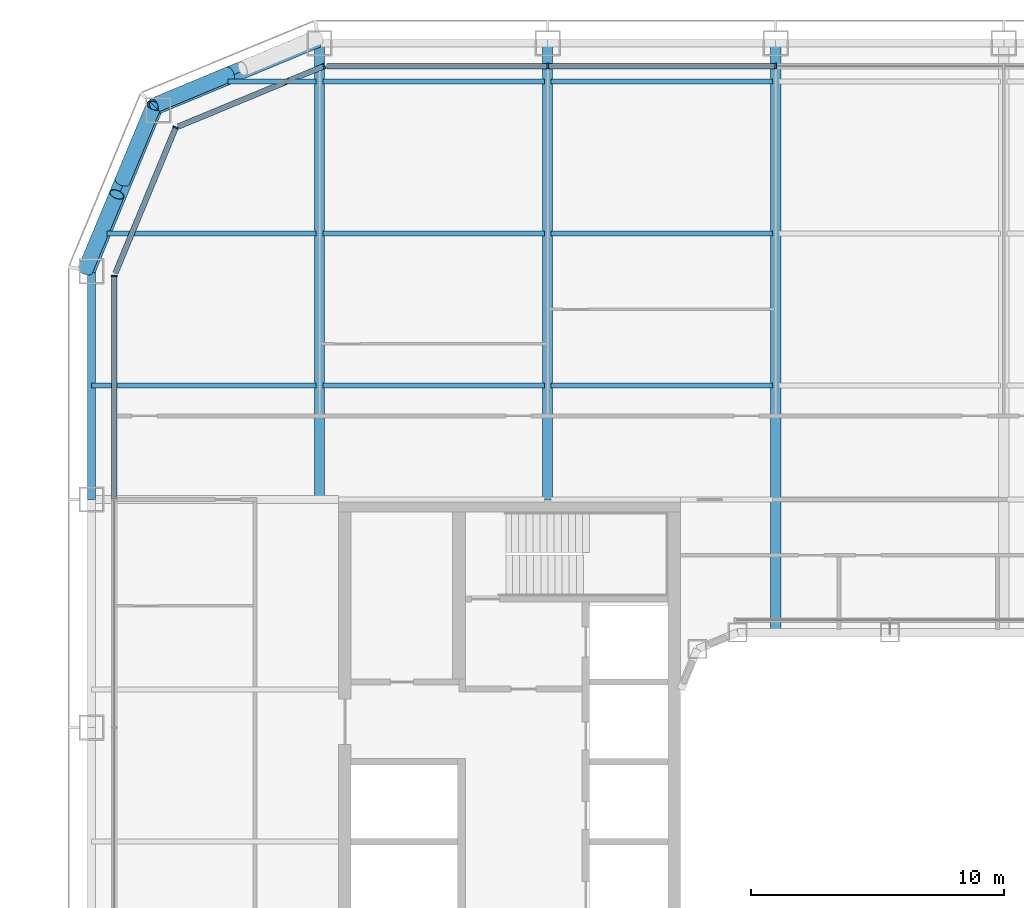
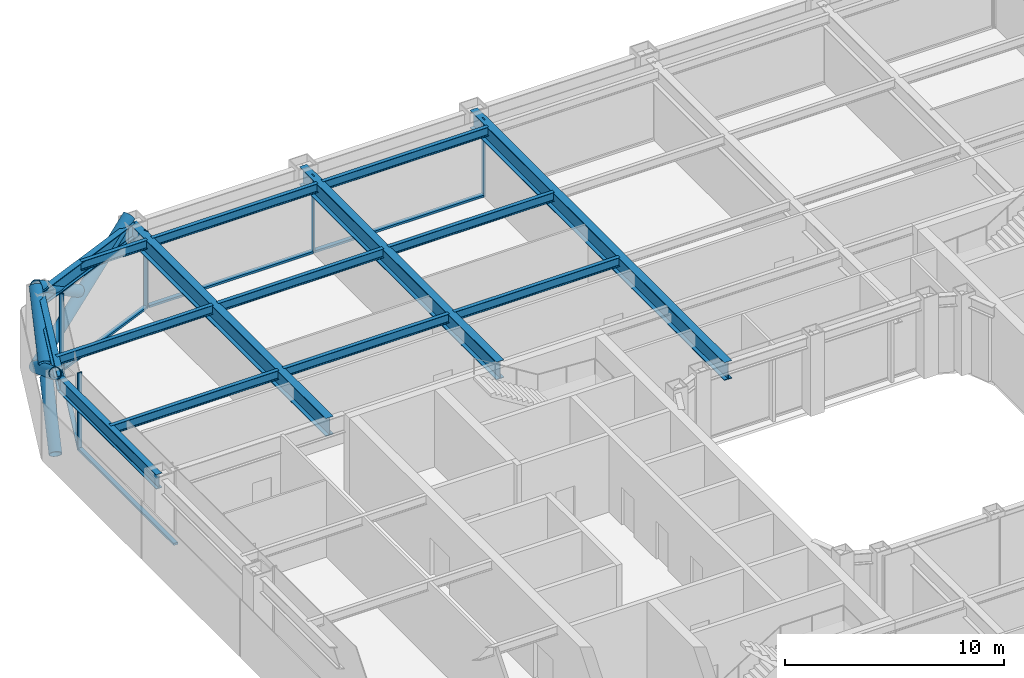
# One storey, part 7 of 27: 15 beams, 15 members, 4 elements without a shape of their own.
"""IFC4 building model written with IfcOpenShell, lengths in metres."""

import ifcopenshell
import ifcopenshell.guid

model = None  # the IFC model being written
_history = None  # IfcOwnerHistory: only IFC2X3 demands one
_inside = {}  # id of a spatial element -> (the spatial element, [elements in it])
_under = {}  # id of a project, library or spatial element -> (it, [spatial elements below it])
_declared = {}  # id of a project -> (the project, [libraries it declares])
_typed = {}  # id of a type object -> (the type object, [elements of that type])
_made_of = {}  # id of a material, layer set ... -> (it, [elements and type objects made of it])


def new_model(schema):
    """Start an empty IFC model of exactly this schema.

    Asked for "IFC4X3", IfcOpenShell would pick the latest addendum, in which some entities
    have other attributes; the version numbers below select the first issue.
    IFC2X3 requires an IfcOwnerHistory on every rooted entity: one is made here for all.
    """
    global model, _history
    if schema == "IFC4X3":
        model = ifcopenshell.file(schema_version=(4, 3, 0, 0))
    else:
        model = ifcopenshell.file(schema=schema)
    _inside.clear()
    _under.clear()
    _declared.clear()
    _typed.clear()
    _made_of.clear()
    _history = None
    if model.schema == "IFC2X3":
        org = make("IfcOrganization", Name="unknown")
        user = make(
            "IfcPersonAndOrganization",
            ThePerson=make("IfcPerson", FamilyName="unknown"),
            TheOrganization=org,
        )
        app = make(
            "IfcApplication",
            ApplicationDeveloper=org,
            Version="unknown",
            ApplicationFullName="unknown",
            ApplicationIdentifier="unknown",
        )
        _history = make(
            "IfcOwnerHistory",
            OwningUser=user,
            OwningApplication=app,
            ChangeAction="ADDED",
            CreationDate=0,
        )
    return model


def make(cls, **values):
    """One entity of the class cls with the attributes given. An attribute that is None is left unset."""
    return model.create_entity(
        cls, **{name: value for name, value in values.items() if value is not None}
    )


def rooted(cls, **values):
    """An entity with a GlobalId (a new one), such as an element, a storey or a relation."""
    return make(cls, GlobalId=ifcopenshell.guid.new(), OwnerHistory=_history, **values)


def si_unit(unit_type, name, prefix=None):
    """IfcSIUnit, for example si_unit("LENGTHUNIT", "METRE", prefix="MILLI")."""
    return make("IfcSIUnit", UnitType=unit_type, Prefix=prefix, Name=name)


def assignment(units):
    """IfcUnitAssignment: the units of a project."""
    return None if units is None else make("IfcUnitAssignment", Units=units)


def point(xyz):
    """IfcCartesianPoint."""
    return None if xyz is None else make("IfcCartesianPoint", Coordinates=xyz)


def direction(xyz):
    """IfcDirection."""
    return None if xyz is None else make("IfcDirection", DirectionRatios=xyz)


def frame(location, z_axis=None, x_axis=None):
    """IfcAxis2Placement3D, a coordinate frame: its origin and axes. An axis left out is left unset."""
    return make(
        "IfcAxis2Placement3D",
        Location=point(location),
        Axis=direction(z_axis),
        RefDirection=direction(x_axis),
    )


def frame_2d(location, x_axis=None):
    """IfcAxis2Placement2D, a coordinate frame in the plane: its origin and x axis."""
    return make(
        "IfcAxis2Placement2D", Location=point(location), RefDirection=direction(x_axis)
    )


def origin():
    """The frame at (0, 0, 0) with its axes left unset."""
    return frame((0.0, 0.0, 0.0))


def origin_2d():
    """The frame at (0, 0) in the plane with its x axis left unset."""
    return frame_2d((0.0, 0.0))


def place(relative_to, where):
    """IfcLocalPlacement: puts the frame where relative to a parent placement (None: the world)."""
    return make(
        "IfcLocalPlacement", PlacementRelTo=relative_to, RelativePlacement=where
    )


def context(
    kind, dimensions, precision=None, world=None, true_north=None, identifier=None
):
    """IfcGeometricRepresentationContext, for example the 3D "Model" context."""
    return make(
        "IfcGeometricRepresentationContext",
        ContextIdentifier=identifier,
        ContextType=kind,
        CoordinateSpaceDimension=dimensions,
        Precision=precision,
        WorldCoordinateSystem=world,
        TrueNorth=true_north,
    )


def subcontext(parent, identifier, kind, view, scale=None):
    """IfcGeometricRepresentationSubContext, for example "Body" below "Model"."""
    return make(
        "IfcGeometricRepresentationSubContext",
        ContextIdentifier=identifier,
        ContextType=kind,
        ParentContext=parent,
        TargetScale=scale,
        TargetView=view,
    )


def project(units=None, contexts=None):
    """IfcProject with its units and contexts."""
    return rooted(
        "IfcProject",
        Name="project",
        RepresentationContexts=contexts,
        UnitsInContext=assignment(units),
    )


def spatial(cls, under=None, at=None, **own):
    """A site, building, storey or space (cls), placed at a placement, below another one or the project."""
    s = rooted(cls, ObjectPlacement=at, **own)
    if under is not None:
        _under.setdefault(under.id(), (under, []))[1].append(s)
    return s


def profile(cls, at=None, kind="AREA", **sizes):
    """A parametric profile (cls). Its sizes go by their IFC names, for example OverallWidth=200.0."""
    return make(cls, ProfileType=kind, Position=at, **sizes)


def rectangle(**sizes):
    """IfcRectangleProfileDef."""
    return profile("IfcRectangleProfileDef", **sizes)


def hollow_circle(**sizes):
    """IfcCircleHollowProfileDef."""
    return profile("IfcCircleHollowProfileDef", **sizes)


def i_section(**sizes):
    """IfcIShapeProfileDef."""
    return profile("IfcIShapeProfileDef", **sizes)


def extrude(swept, where, along, depth):
    """IfcExtrudedAreaSolid: the profile swept, set in the frame where, extruded along a direction by depth."""
    return make(
        "IfcExtrudedAreaSolid",
        SweptArea=swept,
        Position=where,
        ExtrudedDirection=direction(along),
        Depth=depth,
    )


def shape(context_of_items, identifier, shape_type, items):
    """IfcShapeRepresentation: the items that make up one representation, for example the "Body"."""
    return make(
        "IfcShapeRepresentation",
        ContextOfItems=context_of_items,
        RepresentationIdentifier=identifier,
        RepresentationType=shape_type,
        Items=items,
    )


def material(Name=None, Category=None):
    """IfcMaterial."""
    return make("IfcMaterial", Name=Name, Category=Category)


def layer(
    of_material, thickness, ventilated=None, Name=None, Category=None, Priority=None
):
    """IfcMaterialLayer: one layer of a wall or slab, of a material (None: an air gap)."""
    return make(
        "IfcMaterialLayer",
        Material=of_material,
        LayerThickness=thickness,
        IsVentilated=ventilated,
        Name=Name,
        Category=Category,
        Priority=Priority,
    )


def layer_set(layers, Name=None):
    """IfcMaterialLayerSet."""
    return make("IfcMaterialLayerSet", MaterialLayers=layers, LayerSetName=Name)


def material_profile(
    of_material, cross_section, Name=None, Category=None, Priority=None
):
    """IfcMaterialProfile: a cross section and its material."""
    return make(
        "IfcMaterialProfile",
        Name=Name,
        Material=of_material,
        Profile=cross_section,
        Priority=Priority,
        Category=Category,
    )


def profile_set(profiles, Name=None, composite=None):
    """IfcMaterialProfileSet."""
    return make(
        "IfcMaterialProfileSet",
        Name=Name,
        MaterialProfiles=profiles,
        CompositeProfile=composite,
    )


def made_of(thing, what):
    """Note that an element or type object is made of a material, layer set ...; save() writes the relation."""
    if what is not None:
        _made_of.setdefault(what.id(), (what, []))[1].append(thing)
    return thing


def type_object(cls, material=None, **own):
    """A type object (cls), such as IfcWallType, which elements share."""
    return made_of(rooted(cls, **own), material)


def element(
    cls,
    number,
    at=None,
    inside=None,
    cuts=None,
    type_object=None,
    material=None,
    context=None,
    identifier="Body",
    shape_type=None,
    held_by="IfcProductDefinitionShape",
    body=None,
    shapes=None,
    **own,
):
    """One element of the class cls, such as IfcWall. Its Tag is "e" and its number.

    at: its placement. inside: the storey or other place that contains it. cuts: it is an
    opening in that element (IfcRelVoidsElement). A single representation is given by context,
    identifier, shape_type and body (its items); several are given by shapes. held_by: the class
    of the entity that holds the representations. save() writes the other relations.
    """
    e = rooted(cls, Tag="e%d" % number, ObjectPlacement=at, **own)
    if body is not None:
        shapes = [shape(context, identifier, shape_type, body)]
    if shapes is not None:
        e.Representation = make(held_by, Representations=shapes)
    if inside is not None:
        _inside.setdefault(inside.id(), (inside, []))[1].append(e)
    if cuts is not None:
        rooted(
            "IfcRelVoidsElement", RelatingBuildingElement=cuts, RelatedOpeningElement=e
        )
    if type_object is not None:
        _typed.setdefault(type_object.id(), (type_object, []))[1].append(e)
    return made_of(e, material)


def aggregate(whole, parts):
    """IfcRelAggregates: a whole, such as a stair, and the parts it consists of."""
    return rooted("IfcRelAggregates", RelatingObject=whole, RelatedObjects=parts)


def save(model, path):
    """Write the relations noted so far, then the file.

    IfcRelAggregates (storeys below a building ...), IfcRelContainedInSpatialStructure (elements
    in a storey), IfcRelDefinesByType, IfcRelAssociatesMaterial and IfcRelDeclares: one each for
    every whole, place, type object, material and project.
    """
    for whole, parts in _under.values():
        aggregate(whole, parts)
    for where, things in _inside.values():
        rooted(
            "IfcRelContainedInSpatialStructure",
            RelatedElements=things,
            RelatingStructure=where,
        )
    for kind, things in _typed.values():
        rooted("IfcRelDefinesByType", RelatedObjects=things, RelatingType=kind)
    for what, things in _made_of.values():
        rooted("IfcRelAssociatesMaterial", RelatedObjects=things, RelatingMaterial=what)
    for by, libraries in _declared.values():
        rooted("IfcRelDeclares", RelatingContext=by, RelatedDefinitions=libraries)
    model.write(path)


model = new_model("IFC4")

# Units and contexts
model_context = context("Model", 3, precision=1e-05, world=origin(), true_north=direction((0.0, 1.0)))
body_context = subcontext(model_context, "Body", "Model", "MODEL_VIEW")
ifc_project = project(units=[si_unit("LENGTHUNIT", "METRE"), si_unit("AREAUNIT", "SQUARE_METRE"), si_unit("VOLUMEUNIT", "CUBIC_METRE"), si_unit("PLANEANGLEUNIT", "RADIAN"), si_unit("MASSUNIT", "GRAM", prefix="KILO")], contexts=[model_context])

# Site, building, storey
site_placement = place(None, origin())
site = spatial("IfcSite", under=ifc_project, at=site_placement, CompositionType="ELEMENT")
building_placement = place(site_placement, origin())
building = spatial("IfcBuilding", under=site, at=building_placement, Name="Siwar Civic Tower", CompositionType="ELEMENT")
storey_placement = place(building_placement, frame((0.0, 0.0, 89.699951171875)))
storey = spatial("IfcBuildingStorey", under=building, at=storey_placement, Name="L19", CompositionType="ELEMENT", Elevation=89.699951171875)

# Curtain wall, members
ifc_material_1 = material(Name="Aluminium and glass", Category="aluminium")
ifc_layer_1 = layer(ifc_material_1, 0.219970703125)
ifc_layer_set_1 = layer_set([ifc_layer_1], Name="Aluminium and glass")
curtain_wall_type_1 = type_object("IfcCurtainWallType", Name="ENV-CW-A", PredefinedType="NOTDEFINED", material=ifc_layer_set_1)
curtain_wall_1_placement = place(storey_placement, origin())
curtain_wall_1 = element("IfcCurtainWall", 1, at=curtain_wall_1_placement, inside=storey, type_object=curtain_wall_type_1, Name="Curtain wall A N", PredefinedType="NOTDEFINED")
ifc_material_2 = material(Name="Aluminium 6063-T6", Category="aluminium")
ifc_material_profile_1 = material_profile(ifc_material_2, rectangle(XDim=0.219970703125, YDim=0.070068359375, at=origin_2d()), Name="AL 220x70")
ifc_profile_set_1 = profile_set([ifc_material_profile_1], Name="Aluminium 6063-T6")
member_type_1 = type_object("IfcMemberType", Name="ENV-MULLION-A", PredefinedType="MULLION", material=ifc_profile_set_1)
member_1_placement = place(storey_placement, frame((-4.5, 30.60009765625, 0.0), z_axis=(0.0, 0.0, 1.0), x_axis=(0.0, -1.0, 0.0)))
member_1 = element("IfcMember", 2, at=member_1_placement, type_object=member_type_1, Name="Mullion A N 4", PredefinedType="MULLION", context=body_context, shape_type="SweptSolid", body=[
    extrude(rectangle(XDim=0.219970703125, YDim=0.070068359375, at=origin_2d()), origin(), (0.0, 0.0, 1.0), 4.300048828125),
])
member_2_placement = place(storey_placement, frame((-13.5, 30.60009765625, 0.0), z_axis=(0.0, 0.0, 1.0), x_axis=(0.0, -1.0, 0.0)))
member_2 = element("IfcMember", 3, at=member_2_placement, type_object=member_type_1, Name="Mullion A N 5", PredefinedType="MULLION", context=body_context, shape_type="SweptSolid", body=[
    extrude(rectangle(XDim=0.219970703125, YDim=0.070068359375, at=origin_2d()), origin(), (0.0, 0.0, 1.0), 4.300048828125),
])

# Curtain wall, member
ifc_material_3 = material(Name="Aluminium clad insulated panel", Category="aluminium")
ifc_layer_2 = layer(ifc_material_3, 0.219970703125)
ifc_layer_set_2 = layer_set([ifc_layer_2], Name="Aluminium clad insulated panel")
curtain_wall_type_2 = type_object("IfcCurtainWallType", Name="ENV-CW-AX", PredefinedType="NOTDEFINED", material=ifc_layer_set_2)
curtain_wall_2_placement = place(storey_placement, origin())
curtain_wall_2 = element("IfcCurtainWall", 4, at=curtain_wall_2_placement, inside=storey, type_object=curtain_wall_type_2, Name="Curtain wall A NW1", PredefinedType="NOTDEFINED")
member_3_placement = place(storey_placement, frame((-22.321044921875, 30.60009765625, 0.0), z_axis=(0.0, 0.0, 1.0), x_axis=(0.382683432365, -0.923879532511, 0.0)))
member_3 = element("IfcMember", 5, at=member_3_placement, type_object=member_type_1, Name="Mullion A NW1 1", PredefinedType="MULLION", context=body_context, shape_type="SweptSolid", body=[
    extrude(rectangle(XDim=0.219970703125, YDim=0.070068359375, at=origin_2d()), origin(), (0.0, 0.0, 1.0), 4.300048828125),
])

curtain_wall_3_placement = place(storey_placement, origin())
curtain_wall_3 = element("IfcCurtainWall", 6, at=curtain_wall_3_placement, inside=storey, type_object=curtain_wall_type_2, Name="Curtain wall A NW2", PredefinedType="NOTDEFINED")
member_4_placement = place(storey_placement, frame((-28.175048828125, 28.175048828125, 0.0), z_axis=(0.0, 0.0, 1.0), x_axis=(0.923879532511, -0.382683432365, 0.0)))
member_4 = element("IfcMember", 7, at=member_4_placement, type_object=member_type_1, Name="Mullion A NW2 1", PredefinedType="MULLION", context=body_context, shape_type="SweptSolid", body=[
    extrude(rectangle(XDim=0.219970703125, YDim=0.070068359375, at=origin_2d()), origin(), (0.0, 0.0, 1.0), 4.300048828125),
])

curtain_wall_4_placement = place(storey_placement, origin())
curtain_wall_4 = element("IfcCurtainWall", 8, at=curtain_wall_4_placement, inside=storey, type_object=curtain_wall_type_1, Name="Curtain wall A W", PredefinedType="NOTDEFINED")
member_5_placement = place(storey_placement, frame((-30.60009765625, 22.321044921875, 0.0), z_axis=(0.0, 0.0, 1.0), x_axis=(1.0, 0.0, 0.0)))
member_5 = element("IfcMember", 9, at=member_5_placement, type_object=member_type_1, Name="Mullion A W 1", PredefinedType="MULLION", context=body_context, shape_type="SweptSolid", body=[
    extrude(rectangle(XDim=0.219970703125, YDim=0.070068359375, at=origin_2d()), origin(), (0.0, 0.0, 1.0), 4.300048828125),
])

# Member
ifc_material_4 = material(Name="Aluminium 6063-T6", Category="aluminium")
ifc_material_profile_2 = material_profile(ifc_material_4, rectangle(XDim=0.219970703125, YDim=0.1201171875, at=origin_2d()), Name="AL 220x120")
ifc_profile_set_2 = profile_set([ifc_material_profile_2], Name="Aluminium 6063-T6")
member_type_2 = type_object("IfcMemberType", Name="ENV-TRANSOM-A", PredefinedType="USERDEFINED", material=ifc_profile_set_2)
member_6_placement = place(storey_placement, frame((-4.534912109375, 30.60009765625, 0.06005859375), z_axis=(-1.0, 0.0, 0.0), x_axis=(0.0, -1.0, 0.0)))
member_6 = element("IfcMember", 10, at=member_6_placement, type_object=member_type_2, Name="Transom A N 4", ObjectType="TRANSOM", PredefinedType="USERDEFINED", context=body_context, shape_type="SweptSolid", body=[
    extrude(rectangle(XDim=0.219970703125, YDim=0.1201171875, at=origin_2d()), origin(), (0.0, 0.0, 1.0), 8.93017578125),
])

member_7_placement = place(storey_placement, frame((-13.534912109375, 30.60009765625, 0.06005859375), z_axis=(-1.0, 0.0, 0.0), x_axis=(0.0, -1.0, 0.0)))
member_7 = element("IfcMember", 11, at=member_7_placement, type_object=member_type_2, Name="Transom A N 5", ObjectType="TRANSOM", PredefinedType="USERDEFINED", context=body_context, shape_type="SweptSolid", body=[
    extrude(rectangle(XDim=0.219970703125, YDim=0.1201171875, at=origin_2d()), origin(), (0.0, 0.0, 1.0), 8.66357421875),
])

aggregate(curtain_wall_1, [member_1, member_2, member_6, member_7])

member_8_placement = place(storey_placement, frame((-22.353271484375, 30.586669921875, 0.06005859375), z_axis=(-0.923873326341, -0.382698415042, 0.0), x_axis=(0.382698415042, -0.923873326341, 0.0)))
member_8 = element("IfcMember", 12, at=member_8_placement, type_object=member_type_2, Name="Transom A NW1 1", ObjectType="TRANSOM", PredefinedType="USERDEFINED", context=body_context, shape_type="SweptSolid", body=[
    extrude(rectangle(XDim=0.219970703125, YDim=0.1201171875, at=origin_2d()), origin(), (0.0, 0.0, 1.0), 6.17919921875),
])

aggregate(curtain_wall_2, [member_3, member_8])

member_9_placement = place(storey_placement, frame((-28.1884765625, 28.142822265625, 0.06005859375), z_axis=(-0.382698415042, -0.923873326341, 0.0), x_axis=(0.923873326341, -0.382698415042, 0.0)))
member_9 = element("IfcMember", 13, at=member_9_placement, type_object=member_type_2, Name="Transom A NW2 1", ObjectType="TRANSOM", PredefinedType="USERDEFINED", context=body_context, shape_type="SweptSolid", body=[
    extrude(rectangle(XDim=0.219970703125, YDim=0.1201171875, at=origin_2d()), origin(), (0.0, 0.0, 1.0), 6.17919921875),
])

aggregate(curtain_wall_3, [member_4, member_9])

member_10_placement = place(storey_placement, frame((-30.60009765625, 22.285888671875, 0.06005859375), z_axis=(0.0, -1.0, 0.0), x_axis=(1.0, 0.0, 0.0)))
member_10 = element("IfcMember", 14, at=member_10_placement, type_object=member_type_2, Name="Transom A W 1", ObjectType="TRANSOM", PredefinedType="USERDEFINED", context=body_context, shape_type="SweptSolid", body=[
    extrude(rectangle(XDim=0.219970703125, YDim=0.1201171875, at=origin_2d()), origin(), (0.0, 0.0, 1.0), 8.7509765625),
])

aggregate(curtain_wall_4, [member_5, member_10])

# Members
ifc_material_5 = material(Name="Steel S355", Category="steel")
ifc_material_profile_3 = material_profile(ifc_material_5, hollow_circle(Radius=0.304931640625, WallThickness=0.030029296875, at=origin_2d()), Name="CHS610x30")
ifc_profile_set_3 = profile_set([ifc_material_profile_3], Name="Steel S355")
member_type_3 = type_object("IfcMemberType", Name="STR-BR-CHS610x30", PredefinedType="BRACE", material=ifc_profile_set_3)
member_11_placement = place(storey_placement, frame((-29.040771484375, 29.040771484375, 0.0), z_axis=(-0.323905527954, -0.777554562952, 0.538975055633), x_axis=(0.923108759191, -0.384538969033, 0.0)))
element("IfcMember", 15, at=member_11_placement, inside=storey, type_object=member_type_3, Name="L19/brc/ANW1-18-0-1", PredefinedType="BRACE", context=body_context, shape_type="SweptSolid", body=[
    extrude(hollow_circle(Radius=0.304931640625, WallThickness=0.030029296875, at=origin_2d()), origin(), (0.0, 0.0, 1.0), 8.34912109375),
])
member_12_placement = place(storey_placement, frame((-31.7451171875, 22.548828125, 0.0), z_axis=(0.323882123145, 0.777533059308, 0.539020140617), x_axis=(-0.923114847559, 0.384524353215, 0.0)))
element("IfcMember", 16, at=member_12_placement, inside=storey, type_object=member_type_3, Name="L19/brc/ANW1-18-0-2", PredefinedType="BRACE", context=body_context, shape_type="SweptSolid", body=[
    extrude(hollow_circle(Radius=0.304931640625, WallThickness=0.030029296875, at=origin_2d()), origin(), (0.0, 0.0, 1.0), 3.843505859375),
])
member_13_placement = place(storey_placement, frame((-30.285888671875, 26.052001953125, 2.428466796875), z_axis=(0.323934068367, 0.777568797048, 0.538937366685), x_axis=(-0.923099230484, 0.384561842466, 0.0)))
element("IfcMember", 17, at=member_13_placement, inside=storey, type_object=member_type_3, Name="L19/brc/ANW1-18-0-3", PredefinedType="BRACE", context=body_context, shape_type="SweptSolid", body=[
    extrude(hollow_circle(Radius=0.304931640625, WallThickness=0.030029296875, at=origin_2d()), origin(), (0.0, 0.0, 1.0), 3.84375),
])
member_14_placement = place(storey_placement, frame((-29.040771484375, 29.040771484375, 0.0), z_axis=(0.777554562952, 0.323905527954, 0.538975055633), x_axis=(-0.384538969033, 0.923108759191, 0.0)))
element("IfcMember", 18, at=member_14_placement, inside=storey, type_object=member_type_3, Name="L19/brc/ANW1-18-0-0", PredefinedType="BRACE", context=body_context, shape_type="SweptSolid", body=[
    extrude(hollow_circle(Radius=0.304931640625, WallThickness=0.030029296875, at=origin_2d()), origin(), (0.0, 0.0, 1.0), 8.34912109375),
])
member_15_placement = place(storey_placement, frame((-26.052001953125, 30.285888671875, 2.428466796875), z_axis=(-0.777568797048, -0.323934068367, 0.538937366685), x_axis=(0.384561842466, -0.923099230484, 0.0)))
element("IfcMember", 19, at=member_15_placement, inside=storey, type_object=member_type_3, Name="L19/brc/ANW1-18-0-5", PredefinedType="BRACE", context=body_context, shape_type="SweptSolid", body=[
    extrude(hollow_circle(Radius=0.304931640625, WallThickness=0.030029296875, at=origin_2d()), origin(), (0.0, 0.0, 1.0), 3.84375),
])

# Beams
ifc_material_6 = material(Name="Steel S355", Category="steel")
ifc_material_profile_4 = material_profile(ifc_material_6, i_section(OverallWidth=0.199951171875, OverallDepth=0.5, WebThickness=0.01025390625, FlangeThickness=0.01611328125, FilletRadius=0.02099609375, at=origin_2d()), Name="IPE500")
ifc_profile_set_4 = profile_set([ifc_material_profile_4], Name="Steel S355")
beam_type_1 = type_object("IfcBeamType", Name="STR-FB-IPE500", PredefinedType="JOIST", material=ifc_profile_set_4)
beam_1_placement = place(storey_placement, frame((-31.5, 18.0, 4.050048828125), z_axis=(1.0, 0.0, 0.0), x_axis=(0.0, 1.0, 0.0)))
element("IfcBeam", 20, at=beam_1_placement, inside=storey, type_object=beam_type_1, Name="L19/bm/F046", PredefinedType="JOIST", context=body_context, shape_type="SweptSolid", body=[
    extrude(i_section(OverallWidth=0.199951171875, OverallDepth=0.5, WebThickness=0.01025390625, FlangeThickness=0.01611328125, FilletRadius=0.02099609375, at=origin_2d()), origin(), (0.0, 0.0, 1.0), 8.8701171875),
])
for number, where, z_axis, x_axis, name in (
    (21, (-22.3701171875, 18.0, 4.050048828125), (1.0, 0.0, 0.0), (0.0, 1.0, 0.0), "L19/bm/F047"),
    (22, (-13.3701171875, 18.0, 4.050048828125), (1.0, 0.0, 0.0), (0.0, 1.0, 0.0), "L19/bm/F048"),
):
    element("IfcBeam", number, at=place(storey_placement, frame(where, z_axis=z_axis, x_axis=x_axis)), inside=storey, type_object=beam_type_1, Name=name, PredefinedType="JOIST", context=body_context, shape_type="SweptSolid", body=[
        extrude(i_section(OverallWidth=0.199951171875, OverallDepth=0.5, WebThickness=0.01025390625, FlangeThickness=0.01611328125, FilletRadius=0.02099609375, at=origin_2d()), origin(), (0.0, 0.0, 1.0), 8.740234375),
    ])
beam_2_placement = place(storey_placement, frame((-30.878662109375, 24.0, 4.050048828125), z_axis=(1.0, 0.0, 0.0), x_axis=(0.0, 1.0, 0.0)))
element("IfcBeam", 23, at=beam_2_placement, inside=storey, type_object=beam_type_1, Name="L19/bm/F053", PredefinedType="JOIST", context=body_context, shape_type="SweptSolid", body=[
    extrude(i_section(OverallWidth=0.199951171875, OverallDepth=0.5, WebThickness=0.01025390625, FlangeThickness=0.01611328125, FilletRadius=0.02099609375, at=origin_2d()), origin(), (0.0, 0.0, 1.0), 8.248779296875),
])
for number, where, z_axis, x_axis, name in (
    (24, (-22.3701171875, 24.0, 4.050048828125), (1.0, 0.0, 0.0), (0.0, 1.0, 0.0), "L19/bm/F054"),
    (25, (-13.3701171875, 24.0, 4.050048828125), (1.0, 0.0, 0.0), (0.0, 1.0, 0.0), "L19/bm/F055"),
):
    element("IfcBeam", number, at=place(storey_placement, frame(where, z_axis=z_axis, x_axis=x_axis)), inside=storey, type_object=beam_type_1, Name=name, PredefinedType="JOIST", context=body_context, shape_type="SweptSolid", body=[
        extrude(i_section(OverallWidth=0.199951171875, OverallDepth=0.5, WebThickness=0.01025390625, FlangeThickness=0.01611328125, FilletRadius=0.02099609375, at=origin_2d()), origin(), (0.0, 0.0, 1.0), 8.740234375),
    ])
beam_3_placement = place(storey_placement, frame((-26.121337890625, 30.0, 4.050048828125), z_axis=(1.0, 0.0, 0.0), x_axis=(0.0, 1.0, 0.0)))
element("IfcBeam", 26, at=beam_3_placement, inside=storey, type_object=beam_type_1, Name="L19/bm/F060", PredefinedType="JOIST", context=body_context, shape_type="SweptSolid", body=[
    extrude(i_section(OverallWidth=0.199951171875, OverallDepth=0.5, WebThickness=0.01025390625, FlangeThickness=0.01611328125, FilletRadius=0.02099609375, at=origin_2d()), origin(), (0.0, 0.0, 1.0), 3.491455078125),
])
for number, where, z_axis, x_axis, name in (
    (27, (-22.3701171875, 30.0, 4.050048828125), (1.0, 0.0, 0.0), (0.0, 1.0, 0.0), "L19/bm/F061"),
    (28, (-13.3701171875, 30.0, 4.050048828125), (1.0, 0.0, 0.0), (0.0, 1.0, 0.0), "L19/bm/F062"),
):
    element("IfcBeam", number, at=place(storey_placement, frame(where, z_axis=z_axis, x_axis=x_axis)), inside=storey, type_object=beam_type_1, Name=name, PredefinedType="JOIST", context=body_context, shape_type="SweptSolid", body=[
        extrude(i_section(OverallWidth=0.199951171875, OverallDepth=0.5, WebThickness=0.01025390625, FlangeThickness=0.01611328125, FilletRadius=0.02099609375, at=origin_2d()), origin(), (0.0, 0.0, 1.0), 8.740234375),
    ])
ifc_material_7 = material(Name="Steel S355", Category="steel")
ifc_material_profile_5 = material_profile(ifc_material_7, i_section(OverallWidth=0.39990234375, OverallDepth=1.0, WebThickness=0.01611328125, FlangeThickness=0.0400390625, at=origin_2d()), Name="PG1000x400x16x40")
ifc_profile_set_5 = profile_set([ifc_material_profile_5], Name="Steel S355")
beam_type_2 = type_object("IfcBeamType", Name="STR-PG-PG1000x400x16x40", PredefinedType="BEAM", material=ifc_profile_set_5)
for number, where, z_axis, x_axis, name in (
    (29, (-22.5, 13.5, 3.800048828125), (0.0, 1.0, 0.0), (-1.0, 0.0, 0.0), "L19/bm/G02"),
    (30, (-13.5, 13.5, 3.800048828125), (0.0, 1.0, 0.0), (-1.0, 0.0, 0.0), "L19/bm/G04"),
):
    element("IfcBeam", number, at=place(storey_placement, frame(where, z_axis=z_axis, x_axis=x_axis)), inside=storey, type_object=beam_type_2, Name=name, PredefinedType="BEAM", context=body_context, shape_type="SweptSolid", body=[
        extrude(i_section(OverallWidth=0.39990234375, OverallDepth=1.0, WebThickness=0.01611328125, FlangeThickness=0.0400390625, at=origin_2d()), origin(), (0.0, 0.0, 1.0), 18.0),
    ])
beam_4_placement = place(storey_placement, frame((-4.5, 8.25, 3.800048828125), z_axis=(0.0, 1.0, 0.0), x_axis=(-1.0, 0.0, 0.0)))
element("IfcBeam", 31, at=beam_4_placement, inside=storey, type_object=beam_type_2, Name="L19/bm/G06", PredefinedType="BEAM", context=body_context, shape_type="SweptSolid", body=[
    extrude(i_section(OverallWidth=0.39990234375, OverallDepth=1.0, WebThickness=0.01611328125, FlangeThickness=0.0400390625, at=origin_2d()), origin(), (0.0, 0.0, 1.0), 23.25),
])
ifc_material_8 = material(Name="Steel S355", Category="steel")
ifc_material_profile_6 = material_profile(ifc_material_8, i_section(OverallWidth=0.302978515625, OverallDepth=0.81396484375, WebThickness=0.02099609375, FlangeThickness=0.0400390625, FilletRadius=0.030029296875, at=origin_2d()), Name="HEM800")
ifc_profile_set_6 = profile_set([ifc_material_profile_6], Name="Steel S355")
beam_type_3 = type_object("IfcBeamType", Name="STR-SB-HEM800", PredefinedType="BEAM", material=ifc_profile_set_6)
for number, where, z_axis, x_axis, name in (
    (32, (-22.5, 31.5, 3.89306640625), (-0.923883353507, -0.382674207535, 0.0), (0.382674207535, -0.923883353507, 0.0), "L19/bm/SNW1-0"),
    (33, (-28.864013671875, 28.864013671875, 3.89306640625), (-0.382674207535, -0.923883353507, 0.0), (0.923883353507, -0.382674207535, 0.0), "L19/bm/SNW2-0"),
):
    element("IfcBeam", number, at=place(storey_placement, frame(where, z_axis=z_axis, x_axis=x_axis)), inside=storey, type_object=beam_type_3, Name=name, PredefinedType="BEAM", context=body_context, shape_type="SweptSolid", body=[
        extrude(i_section(OverallWidth=0.302978515625, OverallDepth=0.81396484375, WebThickness=0.02099609375, FlangeThickness=0.0400390625, FilletRadius=0.030029296875, at=origin_2d()), origin(), (0.0, 0.0, 1.0), 6.888427734375),
    ])
beam_5_placement = place(storey_placement, frame((-31.5, 22.5, 3.89306640625), z_axis=(0.0, -1.0, 0.0), x_axis=(1.0, 0.0, 0.0)))
element("IfcBeam", 34, at=beam_5_placement, inside=storey, type_object=beam_type_3, Name="L19/bm/SW-0", PredefinedType="BEAM", context=body_context, shape_type="SweptSolid", body=[
    extrude(i_section(OverallWidth=0.302978515625, OverallDepth=0.81396484375, WebThickness=0.02099609375, FlangeThickness=0.0400390625, FilletRadius=0.030029296875, at=origin_2d()), origin(), (0.0, 0.0, 1.0), 9.0),
])

save(model, "model.ifc")
